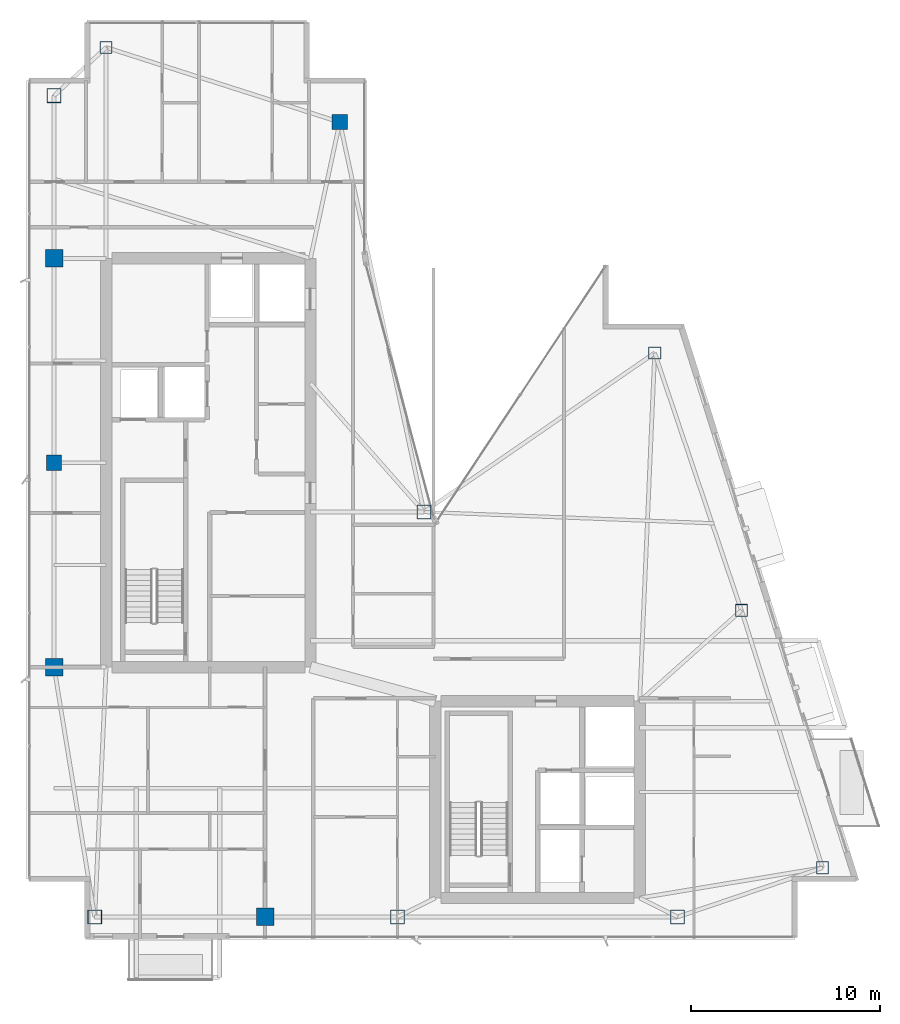
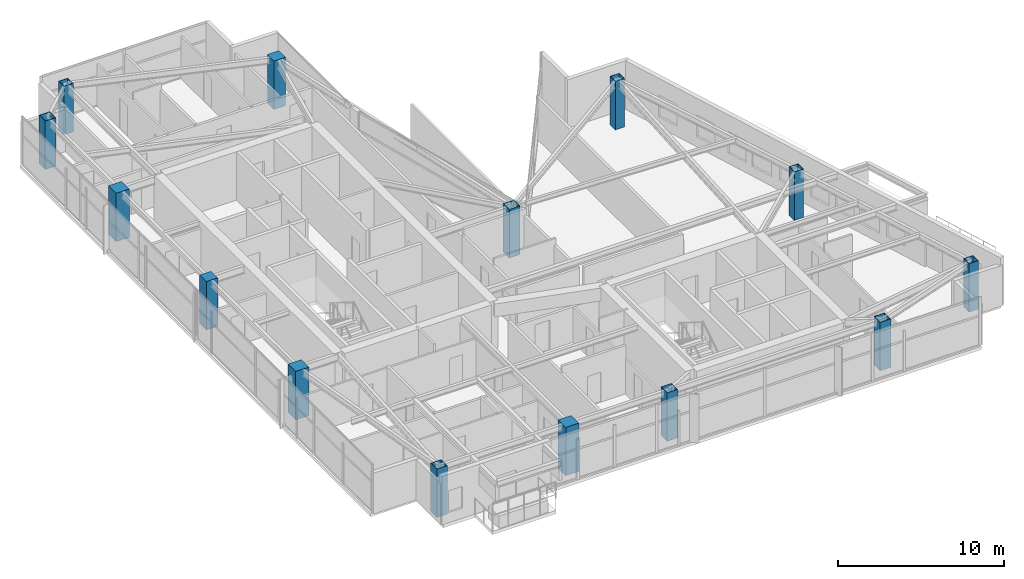
# One storey, part 1 of 28: 14 columns.
"""IFC4 building model written with IfcOpenShell, lengths in metres."""

from ifc_helpers import new_model, si_unit, direction, frame, origin, origin_2d, place, context, subcontext, project, spatial, rectangle, hollow_rectangle, extrude, material, material_profile, profile_set, type_object, element, save


model = new_model("IFC4")

# Units and contexts
model_context = context("Model", 3, precision=1e-05, world=origin(), true_north=direction((0.0, 1.0)))
body_context = subcontext(model_context, "Body", "Model", "MODEL_VIEW")
ifc_project = project(units=[si_unit("LENGTHUNIT", "METRE"), si_unit("AREAUNIT", "SQUARE_METRE"), si_unit("VOLUMEUNIT", "CUBIC_METRE"), si_unit("PLANEANGLEUNIT", "RADIAN"), si_unit("MASSUNIT", "GRAM", prefix="KILO")], contexts=[model_context])

# Site, building, storey
site_placement = place(None, origin())
site = spatial("IfcSite", under=ifc_project, at=site_placement, CompositionType="ELEMENT")
building_placement = place(site_placement, origin())
building = spatial("IfcBuilding", under=site, at=building_placement, Name="Calvorn Quay Hotel", CompositionType="ELEMENT")
storey_placement = place(building_placement, frame((0.0, 0.0, 267.300048828125)))
storey = spatial("IfcBuildingStorey", under=building, at=storey_placement, Name="L66", CompositionType="ELEMENT", Elevation=267.300048828125)

# Columns
ifc_material_1 = material(Name="Concrete C45", Category="concrete")
ifc_material_profile_1 = material_profile(ifc_material_1, rectangle(XDim=0.800048828125, YDim=0.800048828125, at=origin_2d()), Name="RC800x800")
ifc_profile_set_1 = profile_set([ifc_material_profile_1], Name="Concrete C45")
column_type_1 = type_object("IfcColumnType", Name="COL-RC-800", PredefinedType="COLUMN", material=ifc_profile_set_1)
for number, where, z_axis, x_axis, name in (
    (1, (1.449951171875, 27.60009765625, 0.0), (0.0, 0.0, 1.0), (1.0, 0.0, 0.0), "Column C-W3 (L66)"),
    (2, (16.550048828125, 45.60009765625, 0.0), (0.0, 0.0, 1.0), (1.0, 0.0, 0.0), "Column C-IC1 (L66)"),
):
    element("IfcColumn", number, at=place(storey_placement, frame(where, z_axis=z_axis, x_axis=x_axis)), inside=storey, type_object=column_type_1, Name=name, PredefinedType="COLUMN", context=body_context, shape_type="SweptSolid", body=[
        extrude(rectangle(XDim=0.800048828125, YDim=0.800048828125, at=origin_2d()), origin(), (0.0, 0.0, 1.0), 3.56005859375),
    ])
ifc_material_2 = material(Name="Concrete C45", Category="concrete")
ifc_material_profile_2 = material_profile(ifc_material_2, rectangle(XDim=0.919921875, YDim=0.919921875, at=origin_2d()), Name="RC920x920")
ifc_profile_set_2 = profile_set([ifc_material_profile_2], Name="Concrete C45")
column_type_2 = type_object("IfcColumnType", Name="COL-RC-920", PredefinedType="COLUMN", material=ifc_profile_set_2)
for number, where, z_axis, x_axis, name in (
    (3, (1.449951171875, 16.800048828125, 0.0), (0.0, 0.0, 1.0), (1.0, 0.0, 0.0), "Column C-W2 (L66)"),
    (4, (1.449951171875, 38.39990234375, 0.0), (0.0, 0.0, 1.0), (1.0, 0.0, 0.0), "Column C-W4 (L66)"),
    (5, (12.60009765625, 3.60009765625, 0.0), (0.0, 0.0, 1.0), (1.0, 0.0, 0.0), "Column C-S1 (L66)"),
):
    element("IfcColumn", number, at=place(storey_placement, frame(where, z_axis=z_axis, x_axis=x_axis)), inside=storey, type_object=column_type_2, Name=name, PredefinedType="COLUMN", context=body_context, shape_type="SweptSolid", body=[
        extrude(rectangle(XDim=0.919921875, YDim=0.919921875, at=origin_2d()), origin(), (0.0, 0.0, 1.0), 3.56005859375),
    ])
ifc_material_3 = material(Name="Steel Q390GJC", Category="steel")
ifc_material_profile_3 = material_profile(ifc_material_3, hollow_rectangle(XDim=0.75, YDim=0.75, WallThickness=0.031982421875, at=origin_2d()), Name="BOX750x750x32")
ifc_profile_set_3 = profile_set([ifc_material_profile_3], Name="Steel Q390GJC")
column_type_3 = type_object("IfcColumnType", Name="COL-STL-Z3", PredefinedType="COLUMN", material=ifc_profile_set_3)
for number, where, z_axis, x_axis, name in (
    (6, (3.60009765625, 3.60009765625, 0.0), (0.0, 0.0, 1.0), (1.0, 0.0, 0.0), "Column C-W1 (L66)"),
    (7, (1.449951171875, 47.0, 0.0), (0.0, 0.0, 1.0), (1.0, 0.0, 0.0), "Column C-W5 (L66)"),
    (8, (21.0, 25.0, 0.0), (0.0, 0.0, 1.0), (1.0, 0.0, 0.0), "Column C-IC2 (L66)"),
    (9, (19.60009765625, 3.60009765625, 0.0), (0.0, 0.0, 1.0), (1.0, 0.0, 0.0), "Column C-S2 (L66)"),
    (10, (34.39990234375, 3.60009765625, 0.0), (0.0, 0.0, 1.0), (1.0, 0.0, 0.0), "Column C-S3 (L66)"),
):
    element("IfcColumn", number, at=place(storey_placement, frame(where, z_axis=z_axis, x_axis=x_axis)), inside=storey, type_object=column_type_3, Name=name, PredefinedType="COLUMN", context=body_context, shape_type="SweptSolid", body=[
        extrude(hollow_rectangle(XDim=0.75, YDim=0.75, WallThickness=0.031982421875, at=origin_2d()), origin(), (0.0, 0.0, 1.0), 3.56005859375),
    ])
ifc_material_4 = material(Name="Steel Q355B", Category="steel")
ifc_material_profile_4 = material_profile(ifc_material_4, hollow_rectangle(XDim=0.64990234375, YDim=0.64990234375, WallThickness=0.028076171875, at=origin_2d()), Name="BOX650x650x28")
ifc_profile_set_4 = profile_set([ifc_material_profile_4], Name="Steel Q355B")
column_type_4 = type_object("IfcColumnType", Name="COL-STL-Z4", PredefinedType="COLUMN", material=ifc_profile_set_4)
for number, where, z_axis, x_axis, name in (
    (11, (4.199951171875, 49.550048828125, 0.0), (0.0, 0.0, 1.0), (1.0, 0.0, 0.0), "Column C-NW1 (L66)"),
    (12, (42.06103515625, 6.199951171875, 0.0), (0.0, 0.0, 1.0), (1.0, 0.0, 0.0), "Column C-ET1 (L66)"),
    (13, (37.77587890625, 19.800048828125, 0.0), (0.0, 0.0, 1.0), (1.0, 0.0, 0.0), "Column C-ET2 (L66)"),
    (14, (33.19091796875, 33.39990234375, 0.0), (0.0, 0.0, 1.0), (1.0, 0.0, 0.0), "Column C-ET3 (L66)"),
):
    element("IfcColumn", number, at=place(storey_placement, frame(where, z_axis=z_axis, x_axis=x_axis)), inside=storey, type_object=column_type_4, Name=name, PredefinedType="COLUMN", context=body_context, shape_type="SweptSolid", body=[
        extrude(hollow_rectangle(XDim=0.64990234375, YDim=0.64990234375, WallThickness=0.028076171875, at=origin_2d()), origin(), (0.0, 0.0, 1.0), 3.56005859375),
    ])

save(model, "model.ifc")
